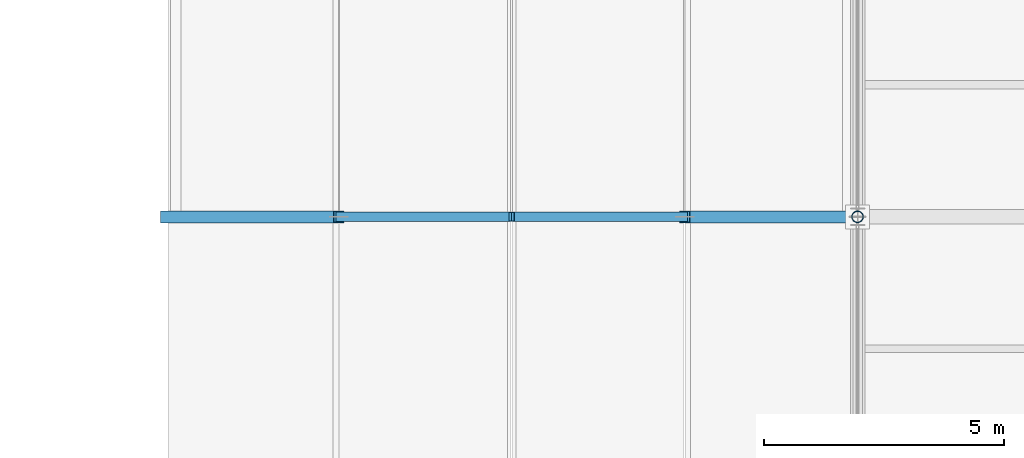
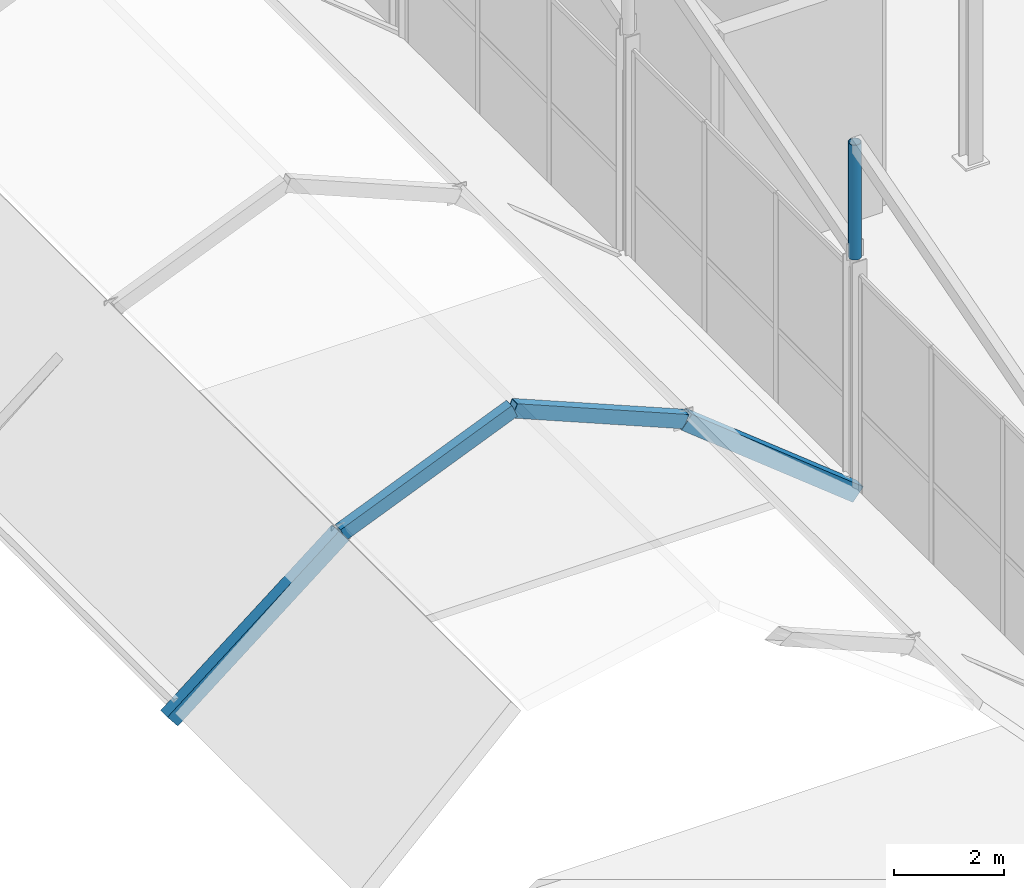
# One storey, part 15 of 141: 5 members.
"""IFC4 building model written with IfcOpenShell, lengths in metres."""

from ifc_helpers import new_model, si_unit, direction, frame, origin, origin_2d, place, context, subcontext, project, spatial, hollow_rectangle, hollow_circle, extrude, material, material_profile, profile_set, type_object, element, save


model = new_model("IFC4")

# Units and contexts
model_context = context("Model", 3, precision=1e-05, world=origin(), true_north=direction((0.0, 1.0)))
body_context = subcontext(model_context, "Body", "Model", "MODEL_VIEW")
ifc_project = project(units=[si_unit("LENGTHUNIT", "METRE"), si_unit("AREAUNIT", "SQUARE_METRE"), si_unit("VOLUMEUNIT", "CUBIC_METRE"), si_unit("PLANEANGLEUNIT", "RADIAN"), si_unit("MASSUNIT", "GRAM", prefix="KILO")], contexts=[model_context])

# Site, building, storey
site_placement = place(None, origin())
site = spatial("IfcSite", under=ifc_project, at=site_placement, CompositionType="ELEMENT")
building_placement = place(site_placement, origin())
building = spatial("IfcBuilding", under=site, at=building_placement, Name="Sundgate Opera House", CompositionType="ELEMENT")
storey_placement = place(building_placement, frame((0.0, 0.0, 11.39990234375)))
storey = spatial("IfcBuildingStorey", under=building, at=storey_placement, Name="L02", CompositionType="ELEMENT", Elevation=11.39990234375)

# Members
ifc_material_1 = material(Name="Steel S355J2", Category="steel")
ifc_material_profile_1 = material_profile(ifc_material_1, hollow_rectangle(XDim=0.199951171875, YDim=0.300048828125, WallThickness=0.012451171875, at=origin_2d()), Name="RHS 300x200x12.5")
ifc_profile_set_1 = profile_set([ifc_material_profile_1], Name="Steel S355J2")
member_type_1 = type_object("IfcMemberType", Name="MB-ARCH-RHS300", PredefinedType="USERDEFINED", material=ifc_profile_set_1)
member_1_placement = place(storey_placement, frame((84.60009765625, 16.5, 3.050048828125), z_axis=(0.923071366561, 0.0, 0.384628719983), x_axis=(0.0, 1.0, 0.0)))
element("IfcMember", 1, at=member_1_placement, inside=storey, type_object=member_type_1, Name="Passage Parabolic Arch Rib M0294", ObjectType="ARCH RIB", PredefinedType="USERDEFINED", context=body_context, shape_type="SweptSolid", body=[
    extrude(hollow_rectangle(XDim=0.199951171875, YDim=0.300048828125, WallThickness=0.012451171875, at=origin_2d()), origin(), (0.0, 0.0, 1.0), 3.89990234375),
])
member_2_placement = place(storey_placement, frame((88.199951171875, 16.5, 4.550048828125), z_axis=(0.9230806271, 0.0, -0.384606494839), x_axis=(0.0, 1.0, 0.0)))
element("IfcMember", 2, at=member_2_placement, inside=storey, type_object=member_type_1, Name="Passage Parabolic Arch Rib M0295", ObjectType="ARCH RIB", PredefinedType="USERDEFINED", context=body_context, shape_type="SweptSolid", body=[
    extrude(hollow_rectangle(XDim=0.199951171875, YDim=0.300048828125, WallThickness=0.012451171875, at=origin_2d()), origin(), (0.0, 0.0, 1.0), 3.900146484375),
])
ifc_material_2 = material(Name="Steel S355ML", Category="steel")
ifc_material_profile_2 = material_profile(ifc_material_2, hollow_rectangle(XDim=0.25, YDim=0.35009765625, WallThickness=0.012451171875, at=origin_2d()), Name="RHS 350x250x12.5")
ifc_profile_set_2 = profile_set([ifc_material_profile_2], Name="Steel S355ML")
member_type_2 = type_object("IfcMemberType", Name="MB-ARCH-RHS350", PredefinedType="USERDEFINED", material=ifc_profile_set_2)
member_3_placement = place(storey_placement, frame((81.0, 16.5, 0.18505859375), z_axis=(0.782465902377, 0.0, 0.622693433093), x_axis=(0.0, 1.0, 0.0)))
element("IfcMember", 3, at=member_3_placement, inside=storey, type_object=member_type_2, Name="Passage Parabolic Arch Rib M0293", ObjectType="ARCH RIB", PredefinedType="USERDEFINED", context=body_context, shape_type="SweptSolid", body=[
    extrude(hollow_rectangle(XDim=0.25, YDim=0.35009765625, WallThickness=0.012451171875, at=origin_2d()), origin(), (0.0, 0.0, 1.0), 4.60107421875),
])
member_4_placement = place(storey_placement, frame((91.800048828125, 16.5, 3.050048828125), z_axis=(0.782445326099, 0.0, -0.622719288015), x_axis=(0.0, 1.0, 0.0)))
element("IfcMember", 4, at=member_4_placement, inside=storey, type_object=member_type_2, Name="Passage Parabolic Arch Rib M0296", ObjectType="ARCH RIB", PredefinedType="USERDEFINED", context=body_context, shape_type="SweptSolid", body=[
    extrude(hollow_rectangle(XDim=0.25, YDim=0.35009765625, WallThickness=0.012451171875, at=origin_2d()), origin(), (0.0, 0.0, 1.0), 4.600830078125),
])
ifc_material_3 = material(Name="Steel S355J2", Category="steel")
ifc_material_profile_3 = material_profile(ifc_material_3, hollow_circle(Radius=0.122314453125, WallThickness=0.012451171875, at=origin_2d()), Name="CHS 244.5x12.5")
ifc_profile_set_3 = profile_set([ifc_material_profile_3], Name="Steel S355J2")
member_type_3 = type_object("IfcMemberType", Name="MB-STRUT-CHS244", PredefinedType="STRUT", material=ifc_profile_set_3)
member_5_placement = place(storey_placement, frame((95.39990234375, 16.5, 5.400146484375), z_axis=(0.0, 0.0, 1.0), x_axis=(1.0, 0.0, 0.0)))
element("IfcMember", 5, at=member_5_placement, inside=storey, type_object=member_type_3, Name="L02 Sawtooth Northlight Post M0382", PredefinedType="STRUT", context=body_context, shape_type="SweptSolid", body=[
    extrude(hollow_circle(Radius=0.122314453125, WallThickness=0.012451171875, at=origin_2d()), origin(), (0.0, 0.0, 1.0), 2.550048828125),
])

save(model, "model.ifc")
